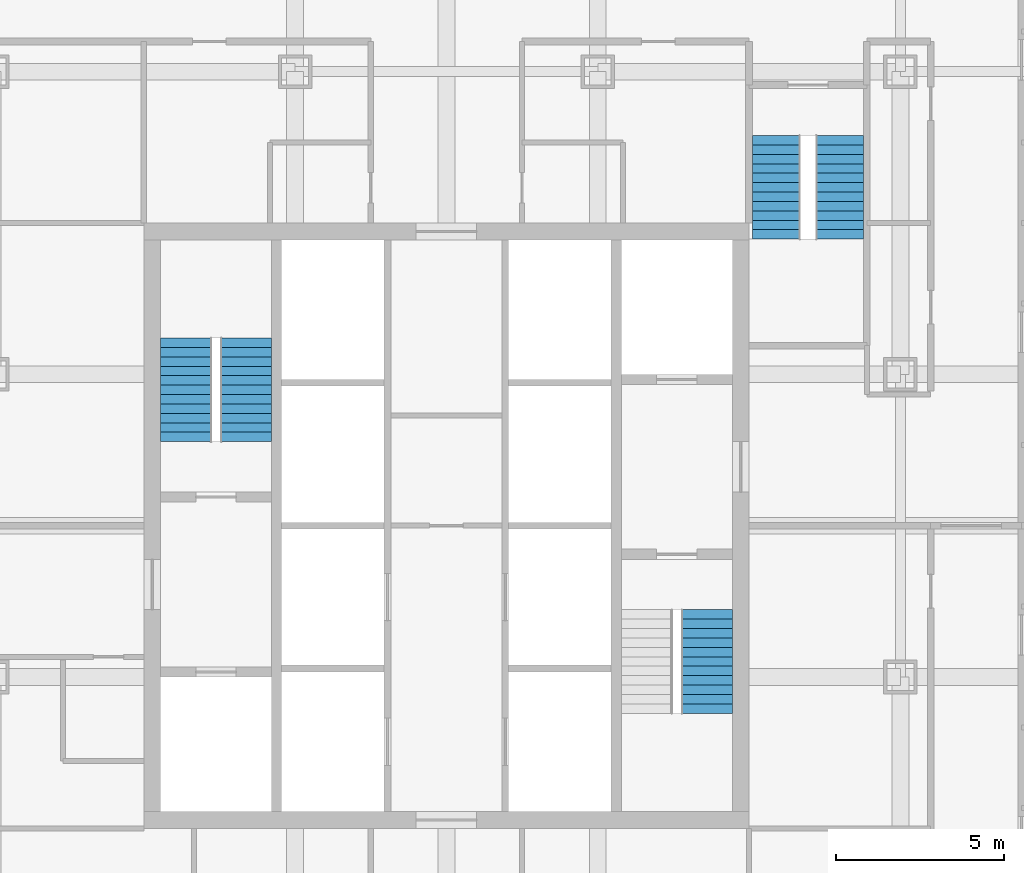
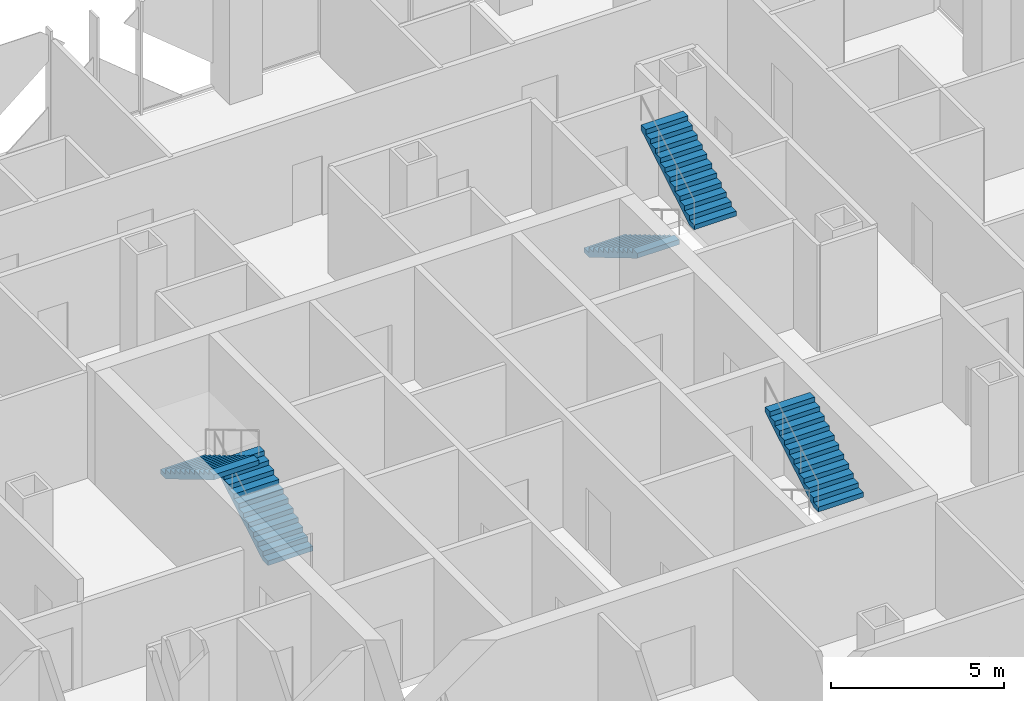
# One storey, part 13 of 16: 5 stair flights, 3 elements without a shape of their own.
"""IFC4 building model written with IfcOpenShell, lengths in metres."""

from ifc_helpers import new_model, si_unit, direction, frame, origin, place, context, subcontext, project, spatial, polyline, outline, extrude, material, type_object, element, aggregate, save


model = new_model("IFC4")

# Units and contexts
model_context = context("Model", 3, precision=1e-05, world=origin(), true_north=direction((0.0, 1.0)))
body_context = subcontext(model_context, "Body", "Model", "MODEL_VIEW")
ifc_project = project(units=[si_unit("LENGTHUNIT", "METRE"), si_unit("AREAUNIT", "SQUARE_METRE"), si_unit("VOLUMEUNIT", "CUBIC_METRE"), si_unit("PLANEANGLEUNIT", "RADIAN"), si_unit("MASSUNIT", "GRAM", prefix="KILO")], contexts=[model_context])

# Site, building, storey
site_placement = place(None, origin())
site = spatial("IfcSite", under=ifc_project, at=site_placement, CompositionType="ELEMENT")
building_placement = place(site_placement, origin())
building = spatial("IfcBuilding", under=site, at=building_placement, Name="Malebo Sky Hospital", CompositionType="ELEMENT")
storey_placement = place(building_placement, frame((0.0, 0.0, 116.0)))
storey = spatial("IfcBuildingStorey", under=building, at=storey_placement, Name="L27", CompositionType="ELEMENT", Elevation=116.0)

# Stair, stair flights
ifc_material = material(Name="Concrete C40/50", Category="concrete")
stair_type_1 = type_object("IfcStairType", Name="HALF-TURN STAIR 1400 R167", PredefinedType="HALF_TURN_STAIR", material=ifc_material)
stair_1_placement = place(storey_placement, origin())
stair_1 = element("IfcStair", 1, at=stair_1_placement, inside=storey, type_object=stair_type_1, Name="Stair S3 L27 type ST1B", PredefinedType="HALF_TURN_STAIR")
stair_flight_type_1 = type_object("IfcStairFlightType", Name="STAIR FLIGHT 1400 R167", PredefinedType="STRAIGHT", material=ifc_material)
stair_flight_1_placement = place(storey_placement, frame((69.800048828125, 73.60009765625, 0.0), z_axis=(0.0, 0.0, 1.0), x_axis=(0.0, -1.0, 0.0)))
stair_flight_1 = element("IfcStairFlight", 2, at=stair_flight_1_placement, type_object=stair_flight_type_1, Name="S3 flight 1 type SF1B", NumberOfRisers=12, NumberOfTreads=11, PredefinedType="STRAIGHT", RiserHeight=0.166666667, TreadLength=0.28, context=body_context, shape_type="SweptSolid", body=[
    extrude(outline(polyline([(0.0, 0.0), (0.0, 0.166748046875), (0.280029296875, 0.166748046875), (0.280029296875, 0.333251953125), (0.56005859375, 0.333251953125), (0.56005859375, 0.5), (0.840087890625, 0.5), (0.840087890625, 0.666748046875), (1.1201171875, 0.666748046875), (1.1201171875, 0.833251953125), (1.39990234375, 0.833251953125), (1.39990234375, 1.0), (1.679931640625, 1.0), (1.679931640625, 1.166748046875), (1.9599609375, 1.166748046875), (1.9599609375, 1.333251953125), (2.239990234375, 1.333251953125), (2.239990234375, 1.5), (2.52001953125, 1.5), (2.52001953125, 1.666748046875), (2.800048828125, 1.666748046875), (2.800048828125, 1.833251953125), (3.080078125, 1.833251953125), (3.080078125, 2.0), (3.080078125, 1.658935546875), (0.29296875, 0.0), (0.0, 0.0)])), frame((0.0, 0.699951171875, 0.0), z_axis=(0.0, -1.0, 0.0), x_axis=(1.0, 0.0, 0.0)), (0.0, 0.0, 1.0), 1.39990234375),
])
stair_flight_2_placement = place(storey_placement, frame((71.699951171875, 70.52001953125, 2.0), z_axis=(0.0, 0.0, 1.0), x_axis=(0.0, 1.0, 0.0)))
stair_flight_2 = element("IfcStairFlight", 3, at=stair_flight_2_placement, type_object=stair_flight_type_1, Name="S3 flight 2 type SF1B", NumberOfRisers=12, NumberOfTreads=11, PredefinedType="STRAIGHT", RiserHeight=0.166666667, TreadLength=0.28, context=body_context, shape_type="SweptSolid", body=[
    extrude(outline(polyline([(0.0, 0.0), (0.0, 0.166748046875), (0.280029296875, 0.166748046875), (0.280029296875, 0.333251953125), (0.56005859375, 0.333251953125), (0.56005859375, 0.5), (0.840087890625, 0.5), (0.840087890625, 0.666748046875), (1.1201171875, 0.666748046875), (1.1201171875, 0.833251953125), (1.39990234375, 0.833251953125), (1.39990234375, 1.0), (1.679931640625, 1.0), (1.679931640625, 1.166748046875), (1.9599609375, 1.166748046875), (1.9599609375, 1.333251953125), (2.239990234375, 1.333251953125), (2.239990234375, 1.5), (2.52001953125, 1.5), (2.52001953125, 1.666748046875), (2.800048828125, 1.666748046875), (2.800048828125, 1.833251953125), (3.080078125, 1.833251953125), (3.080078125, 2.0), (3.080078125, 1.658935546875), (0.29296875, 0.0), (0.0, 0.0)])), frame((0.0, 0.699951171875, 0.0), z_axis=(0.0, -1.0, 0.0), x_axis=(1.0, 0.0, 0.0)), (0.0, 0.0, 1.0), 1.39990234375),
])
aggregate(stair_1, [stair_flight_1, stair_flight_2])

stair_type_2 = type_object("IfcStairType", Name="HALF-TURN STAIR 1500 R167", PredefinedType="HALF_TURN_STAIR", material=ifc_material)
stair_2_placement = place(storey_placement, origin())
stair_2 = element("IfcStair", 4, at=stair_2_placement, inside=storey, type_object=stair_type_2, Name="Stair S1 L27 type ST1", PredefinedType="HALF_TURN_STAIR")
stair_flight_type_2 = type_object("IfcStairFlightType", Name="STAIR FLIGHT 1500 R167", PredefinedType="STRAIGHT", material=ifc_material)
stair_flight_3_placement = place(storey_placement, frame((54.050048828125, 64.5, 0.0), z_axis=(0.0, 0.0, 1.0), x_axis=(0.0, 1.0, 0.0)))
stair_flight_3 = element("IfcStairFlight", 5, at=stair_flight_3_placement, type_object=stair_flight_type_2, Name="S1 flight 1 type SF1", NumberOfRisers=12, NumberOfTreads=11, PredefinedType="STRAIGHT", RiserHeight=0.166666667, TreadLength=0.28, context=body_context, shape_type="SweptSolid", body=[
    extrude(outline(polyline([(0.0, 0.0), (0.0, 0.166748046875), (0.280029296875, 0.166748046875), (0.280029296875, 0.333251953125), (0.56005859375, 0.333251953125), (0.56005859375, 0.5), (0.840087890625, 0.5), (0.840087890625, 0.666748046875), (1.1201171875, 0.666748046875), (1.1201171875, 0.833251953125), (1.39990234375, 0.833251953125), (1.39990234375, 1.0), (1.679931640625, 1.0), (1.679931640625, 1.166748046875), (1.9599609375, 1.166748046875), (1.9599609375, 1.333251953125), (2.239990234375, 1.333251953125), (2.239990234375, 1.5), (2.52001953125, 1.5), (2.52001953125, 1.666748046875), (2.800048828125, 1.666748046875), (2.800048828125, 1.833251953125), (3.080078125, 1.833251953125), (3.080078125, 2.0), (3.080078125, 1.658935546875), (0.29296875, 0.0), (0.0, 0.0)])), frame((0.0, 0.75, 0.0), z_axis=(0.0, -1.0, 0.0), x_axis=(1.0, 0.0, 0.0)), (0.0, 0.0, 1.0), 1.5),
])
stair_flight_4_placement = place(storey_placement, frame((52.25, 67.580078125, 2.0), z_axis=(0.0, 0.0, 1.0), x_axis=(0.0, -1.0, 0.0)))
stair_flight_4 = element("IfcStairFlight", 6, at=stair_flight_4_placement, type_object=stair_flight_type_2, Name="S1 flight 2 type SF1", NumberOfRisers=12, NumberOfTreads=11, PredefinedType="STRAIGHT", RiserHeight=0.166666667, TreadLength=0.28, context=body_context, shape_type="SweptSolid", body=[
    extrude(outline(polyline([(0.0, 0.0), (0.0, 0.166748046875), (0.280029296875, 0.166748046875), (0.280029296875, 0.333251953125), (0.56005859375, 0.333251953125), (0.56005859375, 0.5), (0.840087890625, 0.5), (0.840087890625, 0.666748046875), (1.1201171875, 0.666748046875), (1.1201171875, 0.833251953125), (1.39990234375, 0.833251953125), (1.39990234375, 1.0), (1.679931640625, 1.0), (1.679931640625, 1.166748046875), (1.9599609375, 1.166748046875), (1.9599609375, 1.333251953125), (2.239990234375, 1.333251953125), (2.239990234375, 1.5), (2.52001953125, 1.5), (2.52001953125, 1.666748046875), (2.800048828125, 1.666748046875), (2.800048828125, 1.833251953125), (3.080078125, 1.833251953125), (3.080078125, 2.0), (3.080078125, 1.658935546875), (0.29296875, 0.0), (0.0, 0.0)])), frame((0.0, 0.75, 0.0), z_axis=(0.0, -1.0, 0.0), x_axis=(1.0, 0.0, 0.0)), (0.0, 0.0, 1.0), 1.5),
])
aggregate(stair_2, [stair_flight_3, stair_flight_4])

# Stair, stair flight
stair_3_placement = place(storey_placement, origin())
stair_3 = element("IfcStair", 7, at=stair_3_placement, inside=storey, type_object=stair_type_2, Name="Stair S2 L27 type ST1", PredefinedType="HALF_TURN_STAIR")
stair_flight_5_placement = place(storey_placement, frame((67.75, 56.419921875, 2.0), z_axis=(0.0, 0.0, 1.0), x_axis=(0.0, 1.0, 0.0)))
stair_flight_5 = element("IfcStairFlight", 8, at=stair_flight_5_placement, type_object=stair_flight_type_2, Name="S2 flight 2 type SF1", NumberOfRisers=12, NumberOfTreads=11, PredefinedType="STRAIGHT", RiserHeight=0.166666667, TreadLength=0.28, context=body_context, shape_type="SweptSolid", body=[
    extrude(outline(polyline([(0.0, 0.0), (0.0, 0.166748046875), (0.280029296875, 0.166748046875), (0.280029296875, 0.333251953125), (0.56005859375, 0.333251953125), (0.56005859375, 0.5), (0.840087890625, 0.5), (0.840087890625, 0.666748046875), (1.1201171875, 0.666748046875), (1.1201171875, 0.833251953125), (1.39990234375, 0.833251953125), (1.39990234375, 1.0), (1.679931640625, 1.0), (1.679931640625, 1.166748046875), (1.9599609375, 1.166748046875), (1.9599609375, 1.333251953125), (2.239990234375, 1.333251953125), (2.239990234375, 1.5), (2.52001953125, 1.5), (2.52001953125, 1.666748046875), (2.800048828125, 1.666748046875), (2.800048828125, 1.833251953125), (3.080078125, 1.833251953125), (3.080078125, 2.0), (3.080078125, 1.658935546875), (0.29296875, 0.0), (0.0, 0.0)])), frame((0.0, 0.75, 0.0), z_axis=(0.0, -1.0, 0.0), x_axis=(1.0, 0.0, 0.0)), (0.0, 0.0, 1.0), 1.5),
])
aggregate(stair_3, [stair_flight_5])

save(model, "model.ifc")
